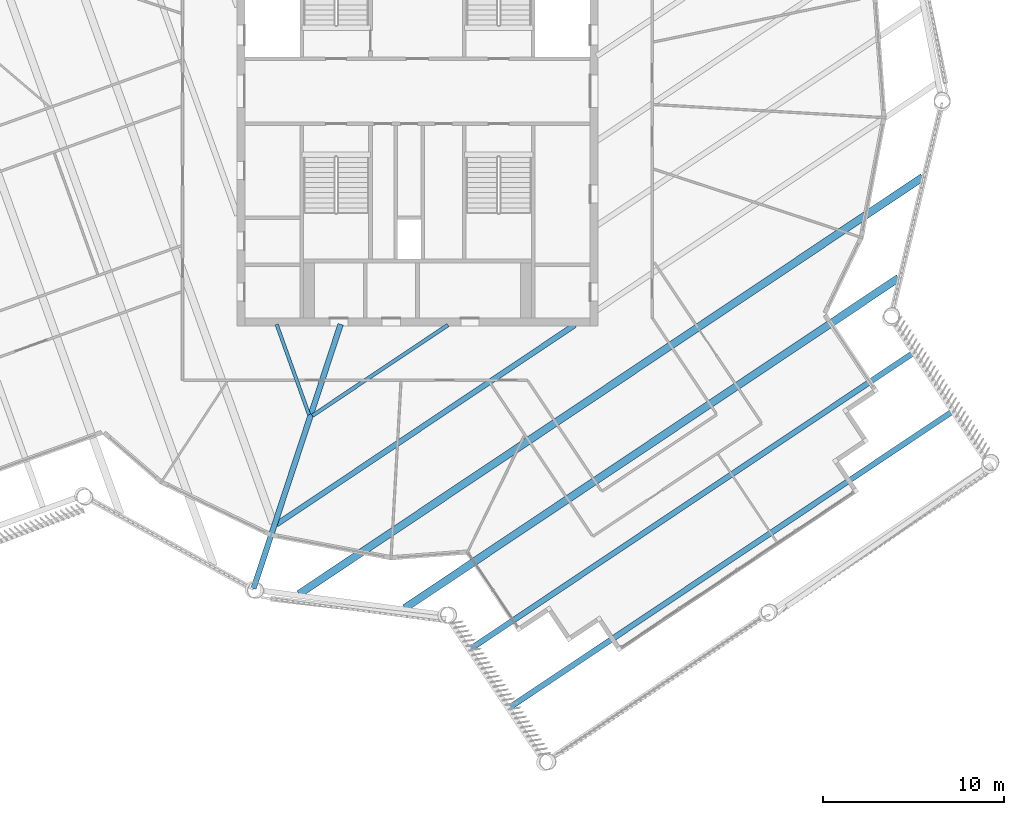
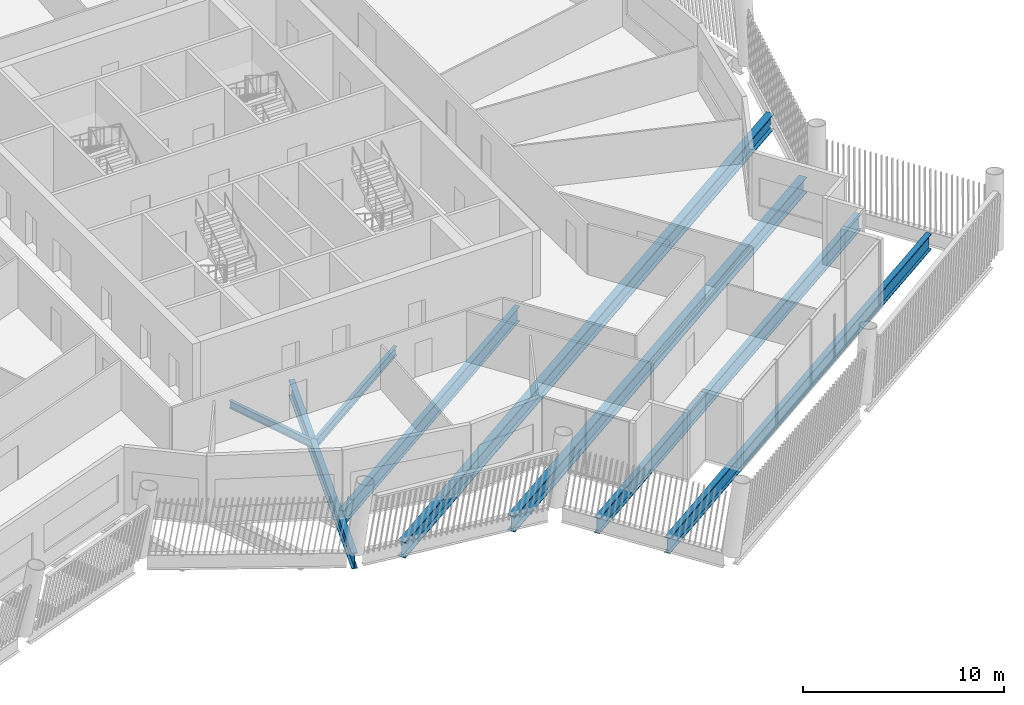
# One storey, part 9 of 28: 8 beams.
"""IFC4 building model written with IfcOpenShell, lengths in metres."""

from ifc_helpers import new_model, si_unit, direction, frame, origin, origin_2d, place, context, subcontext, project, spatial, i_section, extrude, material, material_profile, profile_set, type_object, element, save


model = new_model("IFC4")

# Units and contexts
model_context = context("Model", 3, precision=1e-05, world=origin(), true_north=direction((0.0, 1.0)))
body_context = subcontext(model_context, "Body", "Model", "MODEL_VIEW")
ifc_project = project(units=[si_unit("LENGTHUNIT", "METRE"), si_unit("AREAUNIT", "SQUARE_METRE"), si_unit("VOLUMEUNIT", "CUBIC_METRE"), si_unit("PLANEANGLEUNIT", "RADIAN"), si_unit("MASSUNIT", "GRAM", prefix="KILO")], contexts=[model_context])

# Site, building, storey
site_placement = place(None, origin())
site = spatial("IfcSite", under=ifc_project, at=site_placement, CompositionType="ELEMENT")
building_placement = place(site_placement, origin())
building = spatial("IfcBuilding", under=site, at=building_placement, Name="Tarsis Ring Headquarters", CompositionType="ELEMENT")
storey_placement = place(building_placement, frame((0.0, 0.0, 365.0)))
storey = spatial("IfcBuildingStorey", under=building, at=storey_placement, Name="L86", CompositionType="ELEMENT", Elevation=365.0)

# Beams
ifc_material = material(Name="Structural steel S355", Category="steel")
ifc_material_profile_1 = material_profile(ifc_material, i_section(OverallWidth=0.1904296875, OverallDepth=0.457275390625, WebThickness=0.009033203125, FlangeThickness=0.014404296875, at=origin_2d()), Name="W18x50")
ifc_profile_set_1 = profile_set([ifc_material_profile_1], Name="Structural steel S355")
beam_type_1 = type_object("IfcBeamType", Name="FB Floor beam W18x50", PredefinedType="JOIST", material=ifc_profile_set_1)
beam_1_placement = place(storey_placement, frame((-7.7958984375, -12.906005859375, -0.388671875), z_axis=(0.338102710516, -0.941109216373, 0.0), x_axis=(0.941109216373, 0.338102710516, 0.0)))
element("IfcBeam", 1, at=beam_1_placement, inside=storey, type_object=beam_type_1, Name="Floor beam FB2", PredefinedType="JOIST", context=body_context, shape_type="SweptSolid", body=[
    extrude(i_section(OverallWidth=0.1904296875, OverallDepth=0.457275390625, WebThickness=0.009033203125, FlangeThickness=0.014404296875, at=origin_2d()), origin(), (0.0, 0.0, 1.0), 5.313232421875),
])
ifc_material_profile_2 = material_profile(ifc_material, i_section(OverallWidth=0.209228515625, OverallDepth=0.533447265625, WebThickness=0.01025390625, FlangeThickness=0.015625, at=origin_2d()), Name="W21x62")
ifc_profile_set_2 = profile_set([ifc_material_profile_2], Name="Structural steel S355")
beam_type_2 = type_object("IfcBeamType", Name="FB Floor beam W21x62", PredefinedType="JOIST", material=ifc_profile_set_2)
beam_2_placement = place(storey_placement, frame((-5.822021484375, -17.96484375, -0.4267578125), z_axis=(0.831359482168, 0.555735019059, 0.0), x_axis=(-0.555735019059, 0.831359482168, 0.0)))
element("IfcBeam", 2, at=beam_2_placement, inside=storey, type_object=beam_type_2, Name="Floor beam FB3", PredefinedType="JOIST", context=body_context, shape_type="SweptSolid", body=[
    extrude(i_section(OverallWidth=0.209228515625, OverallDepth=0.533447265625, WebThickness=0.01025390625, FlangeThickness=0.015625, at=origin_2d()), origin(), (0.0, 0.0, 1.0), 9.033935546875),
])
ifc_material_profile_3 = material_profile(ifc_material, i_section(OverallWidth=0.3046875, OverallDepth=0.904296875, WebThickness=0.01513671875, FlangeThickness=0.02001953125, at=origin_2d()), Name="W36x135")
ifc_profile_set_3 = profile_set([ifc_material_profile_3], Name="Structural steel S355")
beam_type_3 = type_object("IfcBeamType", Name="FB Floor beam W36x135", PredefinedType="JOIST", material=ifc_profile_set_3)
beam_3_placement = place(storey_placement, frame((-7.804931640625, -23.981201171875, -0.612060546875), z_axis=(0.831370733246, 0.555718187486, 0.0), x_axis=(-0.555718187486, 0.831370733246, 0.0)))
element("IfcBeam", 3, at=beam_3_placement, inside=storey, type_object=beam_type_3, Name="Floor beam FB8", PredefinedType="JOIST", context=body_context, shape_type="SweptSolid", body=[
    extrude(i_section(OverallWidth=0.3046875, OverallDepth=0.904296875, WebThickness=0.01513671875, FlangeThickness=0.02001953125, at=origin_2d()), origin(), (0.0, 0.0, 1.0), 19.860595703125),
])
ifc_material_profile_4 = material_profile(ifc_material, i_section(OverallWidth=0.309814453125, OverallDepth=0.949951171875, WebThickness=0.0244140625, FlangeThickness=0.0439453125, at=origin_2d()), Name="W36x256")
ifc_profile_set_4 = profile_set([ifc_material_profile_4], Name="Structural steel S355")
beam_type_4 = type_object("IfcBeamType", Name="FB Floor beam W36x256", PredefinedType="JOIST", material=ifc_profile_set_4)
beam_4_placement = place(storey_placement, frame((2.91015625, -30.891845703125, -0.635009765625), z_axis=(0.831376039339, 0.555710249332, 0.0), x_axis=(-0.555710249332, 0.831376039339, 0.0)))
element("IfcBeam", 4, at=beam_4_placement, inside=storey, type_object=beam_type_4, Name="Floor beam FB11", PredefinedType="JOIST", context=body_context, shape_type="SweptSolid", body=[
    extrude(i_section(OverallWidth=0.309814453125, OverallDepth=0.949951171875, WebThickness=0.0244140625, FlangeThickness=0.0439453125, at=origin_2d()), origin(), (0.0, 0.0, 1.0), 29.495361328125),
])
beam_5_placement = place(storey_placement, frame((5.07763671875, -34.13427734375, -0.635009765625), z_axis=(0.831373483181, 0.55571407348, 0.0), x_axis=(-0.55571407348, 0.831373483181, 0.0)))
element("IfcBeam", 5, at=beam_5_placement, inside=storey, type_object=beam_type_4, Name="Floor beam FB11", PredefinedType="JOIST", context=body_context, shape_type="SweptSolid", body=[
    extrude(i_section(OverallWidth=0.309814453125, OverallDepth=0.949951171875, WebThickness=0.0244140625, FlangeThickness=0.0439453125, at=origin_2d()), origin(), (0.0, 0.0, 1.0), 29.4951171875),
])
beam_type_5 = type_object("IfcBeamType", Name="FB Floor beam W36x256 spine", PredefinedType="BEAM", material=ifc_profile_set_4)
beam_6_placement = place(storey_placement, frame((-4.2529296875, -12.905029296875, -0.635009765625), z_axis=(-0.313002573564, -0.949752277671, 0.0), x_axis=(0.949752277671, -0.313002573564, 0.0)))
element("IfcBeam", 6, at=beam_6_placement, inside=storey, type_object=beam_type_5, Name="Floor beam SB11", PredefinedType="BEAM", context=body_context, shape_type="SweptSolid", body=[
    extrude(i_section(OverallWidth=0.309814453125, OverallDepth=0.949951171875, WebThickness=0.0244140625, FlangeThickness=0.0439453125, at=origin_2d()), origin(), (0.0, 0.0, 1.0), 15.40576171875),
])
ifc_material_profile_5 = material_profile(ifc_material, i_section(OverallWidth=0.42431640625, OverallDepth=0.947509765625, WebThickness=0.02392578125, FlangeThickness=0.042724609375, at=origin_2d()), Name="W36x302")
ifc_profile_set_5 = profile_set([ifc_material_profile_5], Name="Structural steel S355")
beam_type_6 = type_object("IfcBeamType", Name="FB Floor beam W36x302", PredefinedType="JOIST", material=ifc_profile_set_5)
beam_7_placement = place(storey_placement, frame((-6.556884765625, -27.838134765625, -0.6337890625), z_axis=(0.831373200317, 0.555714496657, 0.0), x_axis=(-0.555714496657, 0.831373200317, 0.0)))
element("IfcBeam", 7, at=beam_7_placement, inside=storey, type_object=beam_type_6, Name="Floor beam FB12", PredefinedType="JOIST", context=body_context, shape_type="SweptSolid", body=[
    extrude(i_section(OverallWidth=0.42431640625, OverallDepth=0.947509765625, WebThickness=0.02392578125, FlangeThickness=0.042724609375, at=origin_2d()), origin(), (0.0, 0.0, 1.0), 41.531494140625),
])
beam_8_placement = place(storey_placement, frame((-0.700927734375, -28.61474609375, -0.6337890625), z_axis=(0.831372331904, 0.555715795839, 0.0), x_axis=(-0.555715795839, 0.831372331904, 0.0)))
element("IfcBeam", 8, at=beam_8_placement, inside=storey, type_object=beam_type_6, Name="Floor beam FB12", PredefinedType="JOIST", context=body_context, shape_type="SweptSolid", body=[
    extrude(i_section(OverallWidth=0.42431640625, OverallDepth=0.947509765625, WebThickness=0.02392578125, FlangeThickness=0.042724609375, at=origin_2d()), origin(), (0.0, 0.0, 1.0), 32.883056640625),
])

save(model, "model.ifc")
